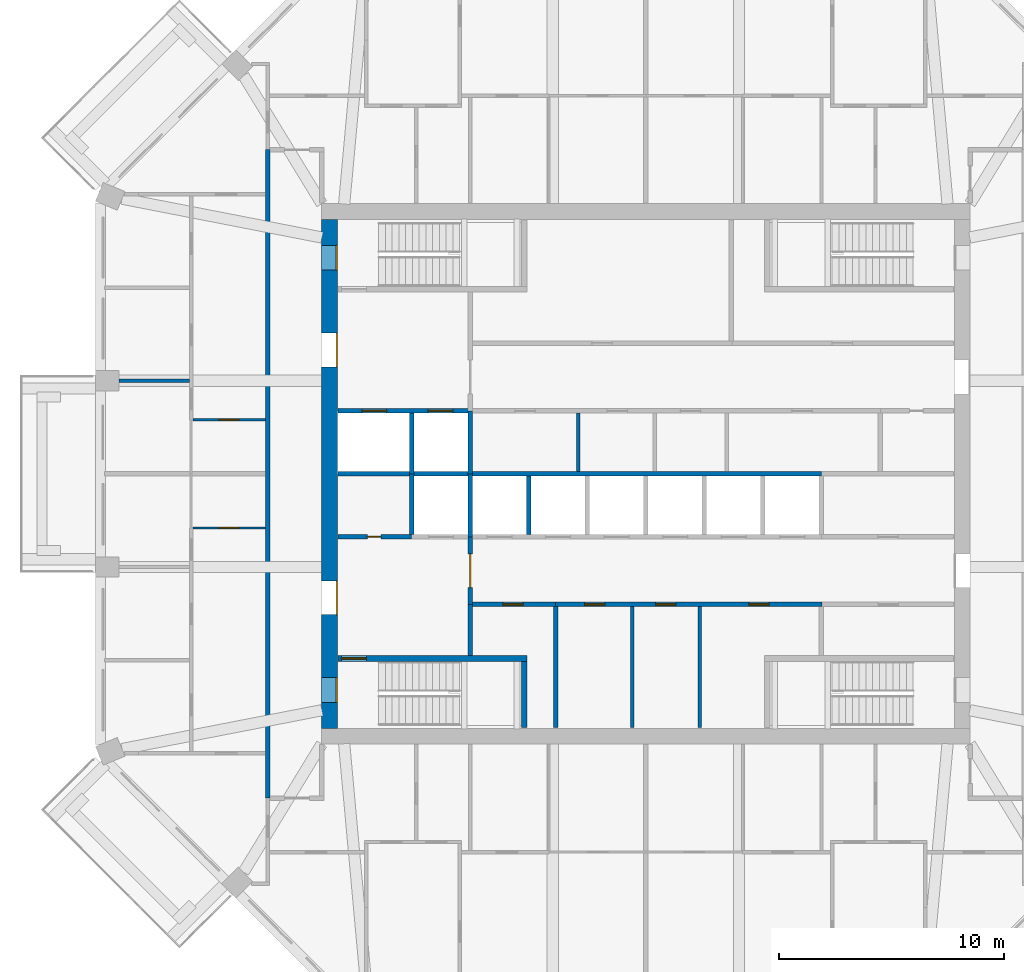
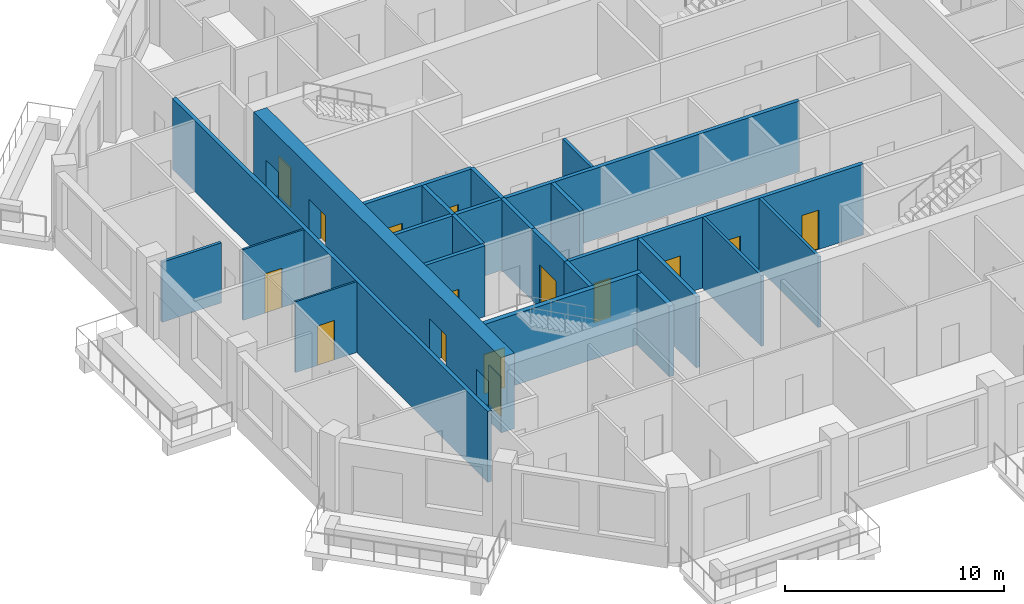
# One storey, part 4 of 12: 23 walls, 15 doors, 15 openings.
"""IFC4 building model written with IfcOpenShell, lengths in metres."""

import ifcopenshell
import ifcopenshell.guid

model = None  # the IFC model being written
_history = None  # IfcOwnerHistory: only IFC2X3 demands one
_inside = {}  # id of a spatial element -> (the spatial element, [elements in it])
_under = {}  # id of a project, library or spatial element -> (it, [spatial elements below it])
_declared = {}  # id of a project -> (the project, [libraries it declares])
_typed = {}  # id of a type object -> (the type object, [elements of that type])
_made_of = {}  # id of a material, layer set ... -> (it, [elements and type objects made of it])


def new_model(schema):
    """Start an empty IFC model of exactly this schema.

    Asked for "IFC4X3", IfcOpenShell would pick the latest addendum, in which some entities
    have other attributes; the version numbers below select the first issue.
    IFC2X3 requires an IfcOwnerHistory on every rooted entity: one is made here for all.
    """
    global model, _history
    if schema == "IFC4X3":
        model = ifcopenshell.file(schema_version=(4, 3, 0, 0))
    else:
        model = ifcopenshell.file(schema=schema)
    _inside.clear()
    _under.clear()
    _declared.clear()
    _typed.clear()
    _made_of.clear()
    _history = None
    if model.schema == "IFC2X3":
        org = make("IfcOrganization", Name="unknown")
        user = make(
            "IfcPersonAndOrganization",
            ThePerson=make("IfcPerson", FamilyName="unknown"),
            TheOrganization=org,
        )
        app = make(
            "IfcApplication",
            ApplicationDeveloper=org,
            Version="unknown",
            ApplicationFullName="unknown",
            ApplicationIdentifier="unknown",
        )
        _history = make(
            "IfcOwnerHistory",
            OwningUser=user,
            OwningApplication=app,
            ChangeAction="ADDED",
            CreationDate=0,
        )
    return model


def make(cls, **values):
    """One entity of the class cls with the attributes given. An attribute that is None is left unset."""
    return model.create_entity(
        cls, **{name: value for name, value in values.items() if value is not None}
    )


def rooted(cls, **values):
    """An entity with a GlobalId (a new one), such as an element, a storey or a relation."""
    return make(cls, GlobalId=ifcopenshell.guid.new(), OwnerHistory=_history, **values)


def si_unit(unit_type, name, prefix=None):
    """IfcSIUnit, for example si_unit("LENGTHUNIT", "METRE", prefix="MILLI")."""
    return make("IfcSIUnit", UnitType=unit_type, Prefix=prefix, Name=name)


def assignment(units):
    """IfcUnitAssignment: the units of a project."""
    return None if units is None else make("IfcUnitAssignment", Units=units)


def point(xyz):
    """IfcCartesianPoint."""
    return None if xyz is None else make("IfcCartesianPoint", Coordinates=xyz)


def direction(xyz):
    """IfcDirection."""
    return None if xyz is None else make("IfcDirection", DirectionRatios=xyz)


def frame(location, z_axis=None, x_axis=None):
    """IfcAxis2Placement3D, a coordinate frame: its origin and axes. An axis left out is left unset."""
    return make(
        "IfcAxis2Placement3D",
        Location=point(location),
        Axis=direction(z_axis),
        RefDirection=direction(x_axis),
    )


def frame_2d(location, x_axis=None):
    """IfcAxis2Placement2D, a coordinate frame in the plane: its origin and x axis."""
    return make(
        "IfcAxis2Placement2D", Location=point(location), RefDirection=direction(x_axis)
    )


def origin():
    """The frame at (0, 0, 0) with its axes left unset."""
    return frame((0.0, 0.0, 0.0))


def place(relative_to, where):
    """IfcLocalPlacement: puts the frame where relative to a parent placement (None: the world)."""
    return make(
        "IfcLocalPlacement", PlacementRelTo=relative_to, RelativePlacement=where
    )


def context(
    kind, dimensions, precision=None, world=None, true_north=None, identifier=None
):
    """IfcGeometricRepresentationContext, for example the 3D "Model" context."""
    return make(
        "IfcGeometricRepresentationContext",
        ContextIdentifier=identifier,
        ContextType=kind,
        CoordinateSpaceDimension=dimensions,
        Precision=precision,
        WorldCoordinateSystem=world,
        TrueNorth=true_north,
    )


def subcontext(parent, identifier, kind, view, scale=None):
    """IfcGeometricRepresentationSubContext, for example "Body" below "Model"."""
    return make(
        "IfcGeometricRepresentationSubContext",
        ContextIdentifier=identifier,
        ContextType=kind,
        ParentContext=parent,
        TargetScale=scale,
        TargetView=view,
    )


def project(units=None, contexts=None):
    """IfcProject with its units and contexts."""
    return rooted(
        "IfcProject",
        Name="project",
        RepresentationContexts=contexts,
        UnitsInContext=assignment(units),
    )


def spatial(cls, under=None, at=None, **own):
    """A site, building, storey or space (cls), placed at a placement, below another one or the project."""
    s = rooted(cls, ObjectPlacement=at, **own)
    if under is not None:
        _under.setdefault(under.id(), (under, []))[1].append(s)
    return s


def profile(cls, at=None, kind="AREA", **sizes):
    """A parametric profile (cls). Its sizes go by their IFC names, for example OverallWidth=200.0."""
    return make(cls, ProfileType=kind, Position=at, **sizes)


def rectangle(**sizes):
    """IfcRectangleProfileDef."""
    return profile("IfcRectangleProfileDef", **sizes)


def extrude(swept, where, along, depth):
    """IfcExtrudedAreaSolid: the profile swept, set in the frame where, extruded along a direction by depth."""
    return make(
        "IfcExtrudedAreaSolid",
        SweptArea=swept,
        Position=where,
        ExtrudedDirection=direction(along),
        Depth=depth,
    )


def shape(context_of_items, identifier, shape_type, items):
    """IfcShapeRepresentation: the items that make up one representation, for example the "Body"."""
    return make(
        "IfcShapeRepresentation",
        ContextOfItems=context_of_items,
        RepresentationIdentifier=identifier,
        RepresentationType=shape_type,
        Items=items,
    )


def material(Name=None, Category=None):
    """IfcMaterial."""
    return make("IfcMaterial", Name=Name, Category=Category)


def layer(
    of_material, thickness, ventilated=None, Name=None, Category=None, Priority=None
):
    """IfcMaterialLayer: one layer of a wall or slab, of a material (None: an air gap)."""
    return make(
        "IfcMaterialLayer",
        Material=of_material,
        LayerThickness=thickness,
        IsVentilated=ventilated,
        Name=Name,
        Category=Category,
        Priority=Priority,
    )


def layer_set(layers, Name=None):
    """IfcMaterialLayerSet."""
    return make("IfcMaterialLayerSet", MaterialLayers=layers, LayerSetName=Name)


def made_of(thing, what):
    """Note that an element or type object is made of a material, layer set ...; save() writes the relation."""
    if what is not None:
        _made_of.setdefault(what.id(), (what, []))[1].append(thing)
    return thing


def type_object(cls, material=None, **own):
    """A type object (cls), such as IfcWallType, which elements share."""
    return made_of(rooted(cls, **own), material)


def element(
    cls,
    number,
    at=None,
    inside=None,
    cuts=None,
    type_object=None,
    material=None,
    context=None,
    identifier="Body",
    shape_type=None,
    held_by="IfcProductDefinitionShape",
    body=None,
    shapes=None,
    **own,
):
    """One element of the class cls, such as IfcWall. Its Tag is "e" and its number.

    at: its placement. inside: the storey or other place that contains it. cuts: it is an
    opening in that element (IfcRelVoidsElement). A single representation is given by context,
    identifier, shape_type and body (its items); several are given by shapes. held_by: the class
    of the entity that holds the representations. save() writes the other relations.
    """
    e = rooted(cls, Tag="e%d" % number, ObjectPlacement=at, **own)
    if body is not None:
        shapes = [shape(context, identifier, shape_type, body)]
    if shapes is not None:
        e.Representation = make(held_by, Representations=shapes)
    if inside is not None:
        _inside.setdefault(inside.id(), (inside, []))[1].append(e)
    if cuts is not None:
        rooted(
            "IfcRelVoidsElement", RelatingBuildingElement=cuts, RelatedOpeningElement=e
        )
    if type_object is not None:
        _typed.setdefault(type_object.id(), (type_object, []))[1].append(e)
    return made_of(e, material)


def fill(opening, filler):
    """IfcRelFillsElement: the door or window that sits in an opening."""
    return rooted(
        "IfcRelFillsElement",
        RelatingOpeningElement=opening,
        RelatedBuildingElement=filler,
    )


def aggregate(whole, parts):
    """IfcRelAggregates: a whole, such as a stair, and the parts it consists of."""
    return rooted("IfcRelAggregates", RelatingObject=whole, RelatedObjects=parts)


def save(model, path):
    """Write the relations noted so far, then the file.

    IfcRelAggregates (storeys below a building ...), IfcRelContainedInSpatialStructure (elements
    in a storey), IfcRelDefinesByType, IfcRelAssociatesMaterial and IfcRelDeclares: one each for
    every whole, place, type object, material and project.
    """
    for whole, parts in _under.values():
        aggregate(whole, parts)
    for where, things in _inside.values():
        rooted(
            "IfcRelContainedInSpatialStructure",
            RelatedElements=things,
            RelatingStructure=where,
        )
    for kind, things in _typed.values():
        rooted("IfcRelDefinesByType", RelatedObjects=things, RelatingType=kind)
    for what, things in _made_of.values():
        rooted("IfcRelAssociatesMaterial", RelatedObjects=things, RelatingMaterial=what)
    for by, libraries in _declared.values():
        rooted("IfcRelDeclares", RelatingContext=by, RelatedDefinitions=libraries)
    model.write(path)


model = new_model("IFC4")

# Units and contexts
model_context = context("Model", 3, precision=1e-05, world=origin(), true_north=direction((0.0, 1.0)))
body_context = subcontext(model_context, "Body", "Model", "MODEL_VIEW")
ifc_project = project(units=[si_unit("LENGTHUNIT", "METRE"), si_unit("AREAUNIT", "SQUARE_METRE"), si_unit("VOLUMEUNIT", "CUBIC_METRE"), si_unit("PLANEANGLEUNIT", "RADIAN"), si_unit("MASSUNIT", "GRAM", prefix="KILO")], contexts=[model_context])

# Site, building, storey
site_placement = place(None, origin())
site = spatial("IfcSite", under=ifc_project, at=site_placement, CompositionType="ELEMENT")
building_placement = place(site_placement, origin())
building = spatial("IfcBuilding", under=site, at=building_placement, Name="Msitu Wima Residences", CompositionType="ELEMENT")
storey_placement = place(building_placement, frame((0.0, 0.0, 179.10009765625)))
storey = spatial("IfcBuildingStorey", under=building, at=storey_placement, Name="L41", CompositionType="ELEMENT", Elevation=179.10009765625)

# Wall, openings, doors
ifc_material_1 = material(Name="Concrete C60/75", Category="concrete")
ifc_layer_1 = layer(ifc_material_1, 0.699951171875)
ifc_layer_set_1 = layer_set([ifc_layer_1], Name="Concrete C60/75")
wall_type_1 = type_object("IfcWallType", Name="Core wall CW700 C60/75", PredefinedType="SHEAR", material=ifc_layer_set_1)
wall_1_placement = place(storey_placement, frame((-14.050048828125, -11.300048828125, 0.0), z_axis=(0.0, 0.0, 1.0), x_axis=(0.0, 1.0, 0.0)))
wall_1 = element("IfcWall", 1, at=wall_1_placement, inside=storey, type_object=wall_type_1, Name="Core wall", PredefinedType="SHEAR", context=body_context, shape_type="SweptSolid", body=[
    extrude(rectangle(XDim=22.60009765625, YDim=0.699951171875, at=frame_2d((11.300048828125, 0.0))), origin(), (0.0, 0.0, 1.0), 4.199951171875),
])
opening_1_placement = place(wall_1_placement, frame((20.35009765625, 0.0, 0.0)))
opening_1 = element("IfcOpeningElement", 2, at=opening_1_placement, cuts=wall_1, Name="Opening D40-42.087", PredefinedType="OPENING", context=body_context, shape_type="SweptSolid", body=[
    extrude(rectangle(XDim=1.10009765625, YDim=2.199951171875, at=frame_2d((0.550048828125, 1.10009765625))), frame((0.0, 0.35986328125, 0.0), z_axis=(0.0, -1.0, 0.0), x_axis=(1.0, 0.0, 0.0)), (0.0, 0.0, 1.0), 0.719970703125),
])
opening_2_placement = place(wall_1_placement, frame((1.14990234375, 0.0, 0.0)))
opening_2 = element("IfcOpeningElement", 3, at=opening_2_placement, cuts=wall_1, Name="Opening D40-42.089", PredefinedType="OPENING", context=body_context, shape_type="SweptSolid", body=[
    extrude(rectangle(XDim=1.10009765625, YDim=2.199951171875, at=frame_2d((0.550048828125, 1.10009765625))), frame((0.0, 0.35986328125, 0.0), z_axis=(0.0, -1.0, 0.0), x_axis=(1.0, 0.0, 0.0)), (0.0, 0.0, 1.0), 0.719970703125),
])
opening_3_placement = place(wall_1_placement, frame((16.050048828125, 0.0, 0.0)))
opening_3 = element("IfcOpeningElement", 4, at=opening_3_placement, cuts=wall_1, Name="Opening D40-42.068", PredefinedType="OPENING", context=body_context, shape_type="SweptSolid", body=[
    extrude(rectangle(XDim=1.5, YDim=2.39990234375, at=frame_2d((0.75, 1.199951171875))), frame((0.0, 0.35986328125, 0.0), z_axis=(0.0, -1.0, 0.0), x_axis=(1.0, 0.0, 0.0)), (0.0, 0.0, 1.0), 0.719970703125),
])
opening_4_placement = place(wall_1_placement, frame((5.050048828125, 0.0, 0.0)))
opening_4 = element("IfcOpeningElement", 5, at=opening_4_placement, cuts=wall_1, Name="Opening D40-42.070", PredefinedType="OPENING", context=body_context, shape_type="SweptSolid", body=[
    extrude(rectangle(XDim=1.5, YDim=2.39990234375, at=frame_2d((0.75, 1.199951171875))), frame((0.0, 0.35986328125, 0.0), z_axis=(0.0, -1.0, 0.0), x_axis=(1.0, 0.0, 0.0)), (0.0, 0.0, 1.0), 0.719970703125),
])
ifc_material_2 = material(Name="Steel framed glazed door, fire resisting", Category="steel")
door_type_1 = type_object("IfcDoorType", Name="Lobby door D07 1500x2400", OperationType="DOUBLE_DOOR_SINGLE_SWING", PredefinedType="DOOR", material=ifc_material_2)
door_1_placement = place(opening_3_placement, origin())
door_1 = element("IfcDoor", 6, at=door_1_placement, inside=storey, type_object=door_type_1, Name="Lobby door", OperationType="DOUBLE_DOOR_SINGLE_SWING", OverallHeight=2.39990234375, OverallWidth=1.5, PredefinedType="DOOR", context=body_context, shape_type="SweptSolid", body=[
    extrude(rectangle(XDim=1.5, YDim=2.39990234375, at=frame_2d((0.75, 1.199951171875))), frame((0.0, -0.294921875, 0.0), z_axis=(0.0, -1.0, 0.0), x_axis=(1.0, 0.0, 0.0)), (0.0, 0.0, 1.0), 0.050048828125),
])
fill(opening_3, door_1)
door_2_placement = place(opening_4_placement, origin())
door_2 = element("IfcDoor", 7, at=door_2_placement, inside=storey, type_object=door_type_1, Name="Lobby door", OperationType="DOUBLE_DOOR_SINGLE_SWING", OverallHeight=2.39990234375, OverallWidth=1.5, PredefinedType="DOOR", context=body_context, shape_type="SweptSolid", body=[
    extrude(rectangle(XDim=1.5, YDim=2.39990234375, at=frame_2d((0.75, 1.199951171875))), frame((0.0, -0.294921875, 0.0), z_axis=(0.0, -1.0, 0.0), x_axis=(1.0, 0.0, 0.0)), (0.0, 0.0, 1.0), 0.050048828125),
])
fill(opening_4, door_2)
ifc_material_3 = material(Name="Steel door, fire resisting, panic bar", Category="steel")
door_type_2 = type_object("IfcDoorType", Name="Stair door D06 1100x2200", OperationType="SINGLE_SWING_LEFT", PredefinedType="DOOR", material=ifc_material_3)
door_3_placement = place(opening_1_placement, origin())
door_3 = element("IfcDoor", 8, at=door_3_placement, inside=storey, type_object=door_type_2, Name="Stair door", OperationType="SINGLE_SWING_RIGHT", OverallHeight=2.199951171875, OverallWidth=1.10009765625, PredefinedType="DOOR", context=body_context, shape_type="SweptSolid", body=[
    extrude(rectangle(XDim=1.10009765625, YDim=2.199951171875, at=frame_2d((0.550048828125, 1.10009765625))), frame((0.0, -0.294921875, 0.0), z_axis=(0.0, -1.0, 0.0), x_axis=(1.0, 0.0, 0.0)), (0.0, 0.0, 1.0), 0.050048828125),
])
fill(opening_1, door_3)
door_4_placement = place(opening_2_placement, origin())
door_4 = element("IfcDoor", 9, at=door_4_placement, inside=storey, type_object=door_type_2, Name="Stair door", OperationType="SINGLE_SWING_LEFT", OverallHeight=2.199951171875, OverallWidth=1.10009765625, PredefinedType="DOOR", context=body_context, shape_type="SweptSolid", body=[
    extrude(rectangle(XDim=1.10009765625, YDim=2.199951171875, at=frame_2d((0.550048828125, 1.10009765625))), frame((0.0, -0.294921875, 0.0), z_axis=(0.0, -1.0, 0.0), x_axis=(1.0, 0.0, 0.0)), (0.0, 0.0, 1.0), 0.050048828125),
])
fill(opening_2, door_4)

# Wall
ifc_material_4 = material(Name="Plaster")
ifc_layer_2 = layer(ifc_material_4, 0.011962890625, Name="Plaster")
ifc_material_5 = material(Name="Concrete blockwork", Category="masonry")
ifc_layer_3 = layer(ifc_material_5, 0.176025390625, Name="Concrete blockwork")
ifc_layer_4 = layer(ifc_material_4, 0.011962890625, Name="Plaster")
ifc_layer_set_2 = layer_set([ifc_layer_2, ifc_layer_3, ifc_layer_4], Name="Concrete blockwork")
wall_type_2 = type_object("IfcWallType", Name="Corridor wall FW200", PredefinedType="PARTITIONING", material=ifc_layer_set_2)
wall_2_placement = place(storey_placement, frame((-16.800048828125, -14.39990234375, 0.0), z_axis=(0.0, 0.0, 1.0), x_axis=(0.0, 1.0, 0.0)))
element("IfcWall", 10, at=wall_2_placement, inside=storey, type_object=wall_type_2, Name="Corridor wall", PredefinedType="PARTITIONING", context=body_context, shape_type="SweptSolid", body=[
    extrude(rectangle(XDim=28.7998046875, YDim=0.199951171875, at=frame_2d((14.39990234375, 0.0))), origin(), (0.0, 0.0, 1.0), 3.949951171875),
])

# Wall, opening, door
wall_3_placement = place(storey_placement, frame((-7.800048828125, -5.800048828125, 0.0), z_axis=(0.0, 0.0, 1.0), x_axis=(0.0, 1.0, 0.0)))
wall_3 = element("IfcWall", 11, at=wall_3_placement, inside=storey, type_object=wall_type_2, Name="Corridor wall", PredefinedType="PARTITIONING", context=body_context, shape_type="SweptSolid", body=[
    extrude(rectangle(XDim=3.0, YDim=0.199951171875, at=frame_2d((1.5, 0.0))), origin(), (0.0, 0.0, 1.0), 3.949951171875),
])
opening_5_placement = place(wall_3_placement, frame((0.75, 0.0, 0.0)))
opening_5 = element("IfcOpeningElement", 12, at=opening_5_placement, cuts=wall_3, Name="Opening D40-42.071", PredefinedType="OPENING", context=body_context, shape_type="SweptSolid", body=[
    extrude(rectangle(XDim=1.5, YDim=2.39990234375, at=frame_2d((0.75, 1.199951171875))), frame((0.0, 0.10986328125, 0.0), z_axis=(0.0, -1.0, 0.0), x_axis=(1.0, 0.0, 0.0)), (0.0, 0.0, 1.0), 0.219970703125),
])
door_5_placement = place(opening_5_placement, origin())
door_5 = element("IfcDoor", 13, at=door_5_placement, inside=storey, type_object=door_type_1, Name="Lobby door", OperationType="DOUBLE_DOOR_SINGLE_SWING", OverallHeight=2.39990234375, OverallWidth=1.5, PredefinedType="DOOR", context=body_context, shape_type="SweptSolid", body=[
    extrude(rectangle(XDim=1.5, YDim=2.39990234375, at=frame_2d((0.75, 1.199951171875))), frame((0.0, 0.02490234375, 0.0), z_axis=(0.0, -1.0, 0.0), x_axis=(1.0, 0.0, 0.0)), (0.0, 0.0, 1.0), 0.050048828125),
])
fill(opening_5, door_5)

# Wall, openings, doors
wall_4_placement = place(storey_placement, frame((-4.02001953125, -5.800048828125, 0.0), z_axis=(0.0, 0.0, 1.0), x_axis=(1.0, 0.0, 0.0)))
wall_4 = element("IfcWall", 14, at=wall_4_placement, inside=storey, type_object=wall_type_2, Name="Corridor wall", PredefinedType="PARTITIONING", context=body_context, shape_type="SweptSolid", body=[
    extrude(rectangle(XDim=11.840087890625, YDim=0.199951171875, at=frame_2d((5.919921875, 0.0))), origin(), (0.0, 0.0, 1.0), 3.949951171875),
])
opening_6_placement = place(wall_4_placement, frame((1.300048828125, 0.0, 0.0)))
opening_6 = element("IfcOpeningElement", 15, at=opening_6_placement, cuts=wall_4, Name="Opening D40-42.075", PredefinedType="OPENING", context=body_context, shape_type="SweptSolid", body=[
    extrude(rectangle(XDim=0.89990234375, YDim=2.199951171875, at=frame_2d((0.449951171875, 1.10009765625))), frame((0.0, 0.10986328125, 0.0), z_axis=(0.0, -1.0, 0.0), x_axis=(1.0, 0.0, 0.0)), (0.0, 0.0, 1.0), 0.219970703125),
])
opening_7_placement = place(wall_4_placement, frame((4.449951171875, 0.0, 0.0)))
opening_7 = element("IfcOpeningElement", 16, at=opening_7_placement, cuts=wall_4, Name="Opening D40-42.076", PredefinedType="OPENING", context=body_context, shape_type="SweptSolid", body=[
    extrude(rectangle(XDim=0.89990234375, YDim=2.199951171875, at=frame_2d((0.449951171875, 1.10009765625))), frame((0.0, 0.10986328125, 0.0), z_axis=(0.0, -1.0, 0.0), x_axis=(1.0, 0.0, 0.0)), (0.0, 0.0, 1.0), 0.219970703125),
])
opening_8_placement = place(wall_4_placement, frame((8.60009765625, 0.0, 0.0)))
opening_8 = element("IfcOpeningElement", 17, at=opening_8_placement, cuts=wall_4, Name="Opening D40-42.077", PredefinedType="OPENING", context=body_context, shape_type="SweptSolid", body=[
    extrude(rectangle(XDim=0.89990234375, YDim=2.199951171875, at=frame_2d((0.449951171875, 1.10009765625))), frame((0.0, 0.10986328125, 0.0), z_axis=(0.0, -1.0, 0.0), x_axis=(1.0, 0.0, 0.0)), (0.0, 0.0, 1.0), 0.219970703125),
])
ifc_material_6 = material(Name="Timber flush door", Category="wood")
door_type_3 = type_object("IfcDoorType", Name="Service door D05 900x2200", OperationType="SINGLE_SWING_LEFT", PredefinedType="DOOR", material=ifc_material_6)
door_6_placement = place(opening_6_placement, origin())
door_6 = element("IfcDoor", 18, at=door_6_placement, inside=storey, type_object=door_type_3, Name="Service door", OperationType="SINGLE_SWING_LEFT", OverallHeight=2.199951171875, OverallWidth=0.89990234375, PredefinedType="DOOR", context=body_context, shape_type="SweptSolid", body=[
    extrude(rectangle(XDim=0.89990234375, YDim=2.199951171875, at=frame_2d((0.449951171875, 1.10009765625))), frame((0.0, 0.02490234375, 0.0), z_axis=(0.0, -1.0, 0.0), x_axis=(1.0, 0.0, 0.0)), (0.0, 0.0, 1.0), 0.050048828125),
])
fill(opening_6, door_6)
door_7_placement = place(opening_7_placement, origin())
door_7 = element("IfcDoor", 19, at=door_7_placement, inside=storey, type_object=door_type_3, Name="Service door", OperationType="SINGLE_SWING_RIGHT", OverallHeight=2.199951171875, OverallWidth=0.89990234375, PredefinedType="DOOR", context=body_context, shape_type="SweptSolid", body=[
    extrude(rectangle(XDim=0.89990234375, YDim=2.199951171875, at=frame_2d((0.449951171875, 1.10009765625))), frame((0.0, 0.02490234375, 0.0), z_axis=(0.0, -1.0, 0.0), x_axis=(1.0, 0.0, 0.0)), (0.0, 0.0, 1.0), 0.050048828125),
])
fill(opening_7, door_7)
door_8_placement = place(opening_8_placement, origin())
door_8 = element("IfcDoor", 20, at=door_8_placement, inside=storey, type_object=door_type_3, Name="Service door", OperationType="SINGLE_SWING_RIGHT", OverallHeight=2.199951171875, OverallWidth=0.89990234375, PredefinedType="DOOR", context=body_context, shape_type="SweptSolid", body=[
    extrude(rectangle(XDim=0.89990234375, YDim=2.199951171875, at=frame_2d((0.449951171875, 1.10009765625))), frame((0.0, 0.02490234375, 0.0), z_axis=(0.0, -1.0, 0.0), x_axis=(1.0, 0.0, 0.0)), (0.0, 0.0, 1.0), 0.050048828125),
])
fill(opening_8, door_8)

# Walls
ifc_layer_5 = layer(ifc_material_4, 0.011962890625, Name="Plaster")
ifc_layer_6 = layer(ifc_material_5, 0.1259765625, Name="Concrete blockwork")
ifc_layer_7 = layer(ifc_material_4, 0.011962890625, Name="Plaster")
ifc_layer_set_3 = layer_set([ifc_layer_5, ifc_layer_6, ifc_layer_7], Name="Concrete blockwork")
wall_type_3 = type_object("IfcWallType", Name="Partition PW150", PredefinedType="PARTITIONING", material=ifc_layer_set_3)
wall_5_placement = place(storey_placement, frame((-23.39990234375, 4.13720703125, 0.0), z_axis=(0.0, 0.0, 1.0), x_axis=(1.0, 0.0, 0.0)))
element("IfcWall", 21, at=wall_5_placement, inside=storey, type_object=wall_type_3, Name="Partition", PredefinedType="PARTITIONING", context=body_context, shape_type="SweptSolid", body=[
    extrude(rectangle(XDim=3.125, YDim=0.14990234375, at=frame_2d((1.5625, 0.0))), origin(), (0.0, 0.0, 1.0), 3.349853515625),
])
wall_6_placement = place(storey_placement, frame((-3.0, 0.10009765625, 0.0), z_axis=(0.0, 0.0, 1.0), x_axis=(0.0, 1.0, 0.0)))
element("IfcWall", 22, at=wall_6_placement, inside=storey, type_object=wall_type_3, Name="Partition", PredefinedType="PARTITIONING", context=body_context, shape_type="SweptSolid", body=[
    extrude(rectangle(XDim=2.599853515625, YDim=0.14990234375, at=frame_2d((1.2998046875, 0.0))), origin(), (0.0, 0.0, 1.0), 3.949951171875),
])
for number, where, z_axis, x_axis, name in (
    (23, (-0.60009765625, -11.27001953125, 0.0), (0.0, 0.0, 1.0), (0.0, 1.0, 0.0), "Partition"),
    (24, (2.39990234375, -11.27001953125, 0.0), (0.0, 0.0, 1.0), (0.0, 1.0, 0.0), "Partition"),
):
    element("IfcWall", number, at=place(storey_placement, frame(where, z_axis=z_axis, x_axis=x_axis)), inside=storey, type_object=wall_type_3, Name=name, PredefinedType="PARTITIONING", context=body_context, shape_type="SweptSolid", body=[
        extrude(rectangle(XDim=5.3701171875, YDim=0.14990234375, at=frame_2d((2.68505859375, 0.0))), origin(), (0.0, 0.0, 1.0), 3.949951171875),
    ])

# Wall, opening, door
ifc_layer_8 = layer(ifc_material_4, 0.011962890625, Name="Plaster")
ifc_material_7 = material(Name="Reinforced concrete blockwork", Category="masonry")
ifc_layer_9 = layer(ifc_material_7, 0.176025390625, Name="Reinforced concrete blockwork")
ifc_layer_10 = layer(ifc_material_4, 0.011962890625, Name="Plaster")
ifc_layer_set_4 = layer_set([ifc_layer_8, ifc_layer_9, ifc_layer_10], Name="Reinforced concrete blockwork")
wall_type_4 = type_object("IfcWallType", Name="Plant and riser wall PL200", PredefinedType="PARTITIONING", material=ifc_layer_set_4)
wall_7_placement = place(storey_placement, frame((-13.669921875, -2.800048828125, 0.0), z_axis=(0.0, 0.0, 1.0), x_axis=(1.0, 0.0, 0.0)))
wall_7 = element("IfcWall", 25, at=wall_7_placement, inside=storey, type_object=wall_type_4, Name="Plant and riser wall", PredefinedType="PARTITIONING", context=body_context, shape_type="SweptSolid", body=[
    extrude(rectangle(XDim=3.27001953125, YDim=0.199951171875, at=frame_2d((1.635009765625, 0.0))), origin(), (0.0, 0.0, 1.0), 3.949951171875),
])
opening_9_placement = place(wall_7_placement, frame((1.300048828125, 0.0, 0.0)))
opening_9 = element("IfcOpeningElement", 26, at=opening_9_placement, cuts=wall_7, Name="Opening D40-42.086", PredefinedType="OPENING", context=body_context, shape_type="SweptSolid", body=[
    extrude(rectangle(XDim=0.60009765625, YDim=2.0, at=frame_2d((0.300048828125, 1.0))), frame((0.0, 0.10986328125, 0.0), z_axis=(0.0, -1.0, 0.0), x_axis=(1.0, 0.0, 0.0)), (0.0, 0.0, 1.0), 0.219970703125),
])
ifc_material_8 = material(Name="Steel access door, fire resisting", Category="steel")
door_type_4 = type_object("IfcDoorType", Name="Riser access door D08 600x2000", OperationType="SINGLE_SWING_LEFT", PredefinedType="DOOR", material=ifc_material_8)
door_9_placement = place(opening_9_placement, origin())
door_9 = element("IfcDoor", 27, at=door_9_placement, inside=storey, type_object=door_type_4, Name="Riser access door", OperationType="SINGLE_SWING_RIGHT", OverallHeight=2.0, OverallWidth=0.60009765625, PredefinedType="DOOR", context=body_context, shape_type="SweptSolid", body=[
    extrude(rectangle(XDim=0.60009765625, YDim=2.0, at=frame_2d((0.300048828125, 1.0))), frame((0.0, 0.02490234375, 0.0), z_axis=(0.0, -1.0, 0.0), x_axis=(1.0, 0.0, 0.0)), (0.0, 0.0, 1.0), 0.050048828125),
])
fill(opening_9, door_9)

# Wall
wall_8_placement = place(storey_placement, frame((-7.800048828125, -8.074951171875, 0.0), z_axis=(0.0, 0.0, 1.0), x_axis=(0.0, 1.0, 0.0)))
element("IfcWall", 28, at=wall_8_placement, inside=storey, type_object=wall_type_4, Name="Plant and riser wall", PredefinedType="PARTITIONING", context=body_context, shape_type="SweptSolid", body=[
    extrude(rectangle(XDim=2.27490234375, YDim=0.199951171875, at=frame_2d((1.137451171875, 0.0))), origin(), (0.0, 0.0, 1.0), 3.949951171875),
])

# Wall, opening, door
wall_9_placement = place(storey_placement, frame((-7.699951171875, -5.800048828125, 0.0), z_axis=(0.0, 0.0, 1.0), x_axis=(1.0, 0.0, 0.0)))
wall_9 = element("IfcWall", 29, at=wall_9_placement, inside=storey, type_object=wall_type_4, Name="Plant and riser wall", PredefinedType="PARTITIONING", context=body_context, shape_type="SweptSolid", body=[
    extrude(rectangle(XDim=3.679931640625, YDim=0.199951171875, at=frame_2d((1.83984375, 0.0))), origin(), (0.0, 0.0, 1.0), 3.949951171875),
])
opening_10_placement = place(wall_9_placement, frame((1.35009765625, 0.0, 0.0)))
opening_10 = element("IfcOpeningElement", 30, at=opening_10_placement, cuts=wall_9, Name="Opening D40-42.074", PredefinedType="OPENING", context=body_context, shape_type="SweptSolid", body=[
    extrude(rectangle(XDim=0.89990234375, YDim=2.199951171875, at=frame_2d((0.449951171875, 1.10009765625))), frame((0.0, 0.10986328125, 0.0), z_axis=(0.0, -1.0, 0.0), x_axis=(1.0, 0.0, 0.0)), (0.0, 0.0, 1.0), 0.219970703125),
])
door_10_placement = place(opening_10_placement, origin())
door_10 = element("IfcDoor", 31, at=door_10_placement, inside=storey, type_object=door_type_3, Name="Service door", OperationType="SINGLE_SWING_RIGHT", OverallHeight=2.199951171875, OverallWidth=0.89990234375, PredefinedType="DOOR", context=body_context, shape_type="SweptSolid", body=[
    extrude(rectangle(XDim=0.89990234375, YDim=2.199951171875, at=frame_2d((0.449951171875, 1.10009765625))), frame((0.0, 0.02490234375, 0.0), z_axis=(0.0, -1.0, 0.0), x_axis=(1.0, 0.0, 0.0)), (0.0, 0.0, 1.0), 0.050048828125),
])
fill(opening_10, door_10)

# Walls
wall_10_placement = place(storey_placement, frame((-4.0, -11.27001953125, 0.0), z_axis=(0.0, 0.0, 1.0), x_axis=(0.0, 1.0, 0.0)))
element("IfcWall", 32, at=wall_10_placement, inside=storey, type_object=wall_type_4, Name="Plant and riser wall", PredefinedType="PARTITIONING", context=body_context, shape_type="SweptSolid", body=[
    extrude(rectangle(XDim=5.3701171875, YDim=0.199951171875, at=frame_2d((2.68505859375, 0.0))), origin(), (0.0, 0.0, 1.0), 3.949951171875),
])
ifc_material_9 = material(Name="Fire-rated board")
ifc_layer_11 = layer(ifc_material_9, 0.02490234375, Name="Fire-rated board")
ifc_material_10 = material(Name="Light-gauge stud framing with mineral wool")
ifc_layer_12 = layer(ifc_material_10, 0.14990234375, Name="Light-gauge stud framing with mineral wool")
ifc_layer_13 = layer(ifc_material_9, 0.02490234375, Name="Fire-rated board")
ifc_layer_set_5 = layer_set([ifc_layer_11, ifc_layer_12, ifc_layer_13], Name="Light-gauge stud framing with mineral wool")
wall_type_5 = type_object("IfcWallType", Name="Shaft wall SH200", PredefinedType="PARTITIONING", material=ifc_layer_set_5)
wall_11_placement = place(storey_placement, frame((-13.669921875, 0.0, 0.0), z_axis=(0.0, 0.0, 1.0), x_axis=(1.0, 0.0, 0.0)))
element("IfcWall", 33, at=wall_11_placement, inside=storey, type_object=wall_type_5, Name="Shaft wall", PredefinedType="PARTITIONING", context=body_context, shape_type="SweptSolid", body=[
    extrude(rectangle(XDim=21.469970703125, YDim=0.199951171875, at=frame_2d((10.73486328125, 0.0))), origin(), (0.0, 0.0, 1.0), 3.949951171875),
])

# Wall, openings, doors
wall_12_placement = place(storey_placement, frame((-13.669921875, 2.800048828125, 0.0), z_axis=(0.0, 0.0, 1.0), x_axis=(1.0, 0.0, 0.0)))
wall_12 = element("IfcWall", 34, at=wall_12_placement, inside=storey, type_object=wall_type_5, Name="Shaft wall", PredefinedType="PARTITIONING", context=body_context, shape_type="SweptSolid", body=[
    extrude(rectangle(XDim=5.849853515625, YDim=0.199951171875, at=frame_2d((2.9248046875, 0.0))), origin(), (0.0, 0.0, 1.0), 3.949951171875),
])
opening_11_placement = place(wall_12_placement, frame((1.050048828125, 0.0, 0.0)))
opening_11 = element("IfcOpeningElement", 35, at=opening_11_placement, cuts=wall_12, Name="Opening LD", PredefinedType="OPENING", context=body_context, shape_type="SweptSolid", body=[
    extrude(rectangle(XDim=1.10009765625, YDim=2.199951171875, at=frame_2d((0.550048828125, 1.10009765625))), frame((0.0, 0.10986328125, 0.0), z_axis=(0.0, -1.0, 0.0), x_axis=(1.0, 0.0, 0.0)), (0.0, 0.0, 1.0), 0.219970703125),
])
opening_12_placement = place(wall_12_placement, frame((4.0, 0.0, 0.0)))
opening_12 = element("IfcOpeningElement", 36, at=opening_12_placement, cuts=wall_12, Name="Opening LD", PredefinedType="OPENING", context=body_context, shape_type="SweptSolid", body=[
    extrude(rectangle(XDim=1.10009765625, YDim=2.199951171875, at=frame_2d((0.550048828125, 1.10009765625))), frame((0.0, 0.10986328125, 0.0), z_axis=(0.0, -1.0, 0.0), x_axis=(1.0, 0.0, 0.0)), (0.0, 0.0, 1.0), 0.219970703125),
])
ifc_material_11 = material(Name="Stainless steel centre-opening landing door, rated", Category="steel")
door_type_5 = type_object("IfcDoorType", Name="Lift landing door LD 1100x2200", OperationType="DOUBLE_DOOR_SLIDING", PredefinedType="DOOR", material=ifc_material_11)
door_11_placement = place(opening_11_placement, origin())
door_11 = element("IfcDoor", 37, at=door_11_placement, inside=storey, type_object=door_type_5, Name="Lift landing door LD1", OperationType="DOUBLE_DOOR_SLIDING", OverallHeight=2.199951171875, OverallWidth=1.10009765625, PredefinedType="DOOR", context=body_context, shape_type="SweptSolid", body=[
    extrude(rectangle(XDim=1.10009765625, YDim=2.199951171875, at=frame_2d((0.550048828125, 1.10009765625))), frame((0.0, 0.02490234375, 0.0), z_axis=(0.0, -1.0, 0.0), x_axis=(1.0, 0.0, 0.0)), (0.0, 0.0, 1.0), 0.050048828125),
])
fill(opening_11, door_11)
door_12_placement = place(opening_12_placement, origin())
door_12 = element("IfcDoor", 38, at=door_12_placement, inside=storey, type_object=door_type_5, Name="Lift landing door LD2", OperationType="DOUBLE_DOOR_SLIDING", OverallHeight=2.199951171875, OverallWidth=1.10009765625, PredefinedType="DOOR", context=body_context, shape_type="SweptSolid", body=[
    extrude(rectangle(XDim=1.10009765625, YDim=2.199951171875, at=frame_2d((0.550048828125, 1.10009765625))), frame((0.0, 0.02490234375, 0.0), z_axis=(0.0, -1.0, 0.0), x_axis=(1.0, 0.0, 0.0)), (0.0, 0.0, 1.0), 0.050048828125),
])
fill(opening_12, door_12)

# Walls
for number, where, z_axis, x_axis, name in (
    (39, (-10.39990234375, -2.699951171875, 0.0), (0.0, 0.0, 1.0), (0.0, 1.0, 0.0), "Shaft wall"),
    (40, (-10.39990234375, 0.0, 0.0), (0.0, 0.0, 1.0), (0.0, 1.0, 0.0), "Shaft wall"),
):
    element("IfcWall", number, at=place(storey_placement, frame(where, z_axis=z_axis, x_axis=x_axis)), inside=storey, type_object=wall_type_5, Name=name, PredefinedType="PARTITIONING", context=body_context, shape_type="SweptSolid", body=[
        extrude(rectangle(XDim=2.699951171875, YDim=0.199951171875, at=frame_2d((1.35009765625, 0.0))), origin(), (0.0, 0.0, 1.0), 3.949951171875),
    ])
for number, where, z_axis, x_axis, name in (
    (41, (-7.800048828125, -2.800048828125, 0.0), (0.0, 0.0, 1.0), (0.0, 1.0, 0.0), "Shaft wall"),
    (42, (-7.800048828125, 0.0, 0.0), (0.0, 0.0, 1.0), (0.0, 1.0, 0.0), "Shaft wall"),
):
    element("IfcWall", number, at=place(storey_placement, frame(where, z_axis=z_axis, x_axis=x_axis)), inside=storey, type_object=wall_type_5, Name=name, PredefinedType="PARTITIONING", context=body_context, shape_type="SweptSolid", body=[
        extrude(rectangle(XDim=2.800048828125, YDim=0.199951171875, at=frame_2d((1.39990234375, 0.0))), origin(), (0.0, 0.0, 1.0), 3.949951171875),
    ])
wall_13_placement = place(storey_placement, frame((-5.199951171875, -2.699951171875, 0.0), z_axis=(0.0, 0.0, 1.0), x_axis=(0.0, 1.0, 0.0)))
element("IfcWall", 43, at=wall_13_placement, inside=storey, type_object=wall_type_5, Name="Shaft wall", PredefinedType="PARTITIONING", context=body_context, shape_type="SweptSolid", body=[
    extrude(rectangle(XDim=2.599853515625, YDim=0.199951171875, at=frame_2d((1.2998046875, 0.0))), origin(), (0.0, 0.0, 1.0), 3.949951171875),
])

# Wall, opening, door
ifc_material_12 = material(Name="Concrete C50/60", Category="concrete")
ifc_layer_14 = layer(ifc_material_12, 0.25)
ifc_layer_set_6 = layer_set([ifc_layer_14], Name="Concrete C50/60")
wall_type_6 = type_object("IfcWallType", Name="Stair enclosure wall SW250", PredefinedType="SHEAR", material=ifc_layer_set_6)
wall_14_placement = place(storey_placement, frame((-13.669921875, -8.199951171875, 0.0), z_axis=(0.0, 0.0, 1.0), x_axis=(1.0, 0.0, 0.0)))
wall_14 = element("IfcWall", 44, at=wall_14_placement, inside=storey, type_object=wall_type_6, Name="Stair enclosure wall", PredefinedType="SHEAR", context=body_context, shape_type="SweptSolid", body=[
    extrude(rectangle(XDim=8.39501953125, YDim=0.25, at=frame_2d((4.197509765625, 0.0))), origin(), (0.0, 0.0, 1.0), 3.949951171875),
])
opening_13_placement = place(wall_14_placement, frame((0.14990234375, 0.0, 0.0)))
opening_13 = element("IfcOpeningElement", 45, at=opening_13_placement, cuts=wall_14, Name="Opening D40-42.090", PredefinedType="OPENING", context=body_context, shape_type="SweptSolid", body=[
    extrude(rectangle(XDim=1.10009765625, YDim=2.199951171875, at=frame_2d((0.550048828125, 1.10009765625))), frame((0.0, 0.135009765625, 0.0), z_axis=(0.0, -1.0, 0.0), x_axis=(1.0, 0.0, 0.0)), (0.0, 0.0, 1.0), 0.27001953125),
])
door_13_placement = place(opening_13_placement, origin())
door_13 = element("IfcDoor", 46, at=door_13_placement, inside=storey, type_object=door_type_2, Name="Stair door", OperationType="SINGLE_SWING_RIGHT", OverallHeight=2.199951171875, OverallWidth=1.10009765625, PredefinedType="DOOR", context=body_context, shape_type="SweptSolid", body=[
    extrude(rectangle(XDim=1.10009765625, YDim=2.199951171875, at=frame_2d((0.550048828125, 1.10009765625))), frame((0.0, 0.02490234375, 0.0), z_axis=(0.0, -1.0, 0.0), x_axis=(1.0, 0.0, 0.0)), (0.0, 0.0, 1.0), 0.050048828125),
])
fill(opening_13, door_13)

# Wall
wall_15_placement = place(storey_placement, frame((-5.39990234375, -11.27001953125, 0.0), z_axis=(0.0, 0.0, 1.0), x_axis=(0.0, 1.0, 0.0)))
element("IfcWall", 47, at=wall_15_placement, inside=storey, type_object=wall_type_6, Name="Stair enclosure wall", PredefinedType="SHEAR", context=body_context, shape_type="SweptSolid", body=[
    extrude(rectangle(XDim=2.945068359375, YDim=0.25, at=frame_2d((1.47265625, 0.0))), origin(), (0.0, 0.0, 1.0), 3.949951171875),
])

# Wall, opening, door
ifc_material_13 = material(Name="Ceramic tiles")
ifc_layer_15 = layer(ifc_material_13, 0.008056640625, Name="Ceramic tiles")
ifc_material_14 = material(Name="Moisture-resistant board")
ifc_layer_16 = layer(ifc_material_14, 0.012451171875, Name="Moisture-resistant board")
ifc_layer_17 = layer(ifc_material_10, 0.06689453125, Name="Light-gauge stud framing with mineral wool")
ifc_layer_18 = layer(ifc_material_14, 0.012451171875, Name="Moisture-resistant board")
ifc_layer_set_7 = layer_set([ifc_layer_15, ifc_layer_16, ifc_layer_17, ifc_layer_18], Name="Light-gauge stud framing with mineral wool")
wall_type_7 = type_object("IfcWallType", Name="Wet wall PW100", PredefinedType="PARTITIONING", material=ifc_layer_set_7)
wall_16_placement = place(storey_placement, frame((-20.125, -2.39990234375, 0.0), z_axis=(0.0, 0.0, 1.0), x_axis=(1.0, 0.0, 0.0)))
wall_16 = element("IfcWall", 48, at=wall_16_placement, inside=storey, type_object=wall_type_7, Name="Wet wall", PredefinedType="PARTITIONING", context=body_context, shape_type="SweptSolid", body=[
    extrude(rectangle(XDim=3.22509765625, YDim=0.10009765625, at=frame_2d((1.612548828125, 0.0))), origin(), (0.0, 0.0, 1.0), 3.949951171875),
])
opening_14_placement = place(wall_16_placement, frame((1.14990234375, 0.0, 0.0)))
opening_14 = element("IfcOpeningElement", 49, at=opening_14_placement, cuts=wall_16, Name="Opening D40-42.043", PredefinedType="OPENING", context=body_context, shape_type="SweptSolid", body=[
    extrude(rectangle(XDim=0.89990234375, YDim=2.199951171875, at=frame_2d((0.449951171875, 1.10009765625))), frame((0.0, 0.06005859375, 0.0), z_axis=(0.0, -1.0, 0.0), x_axis=(1.0, 0.0, 0.0)), (0.0, 0.0, 1.0), 0.1201171875),
])
ifc_material_15 = material(Name="Timber flush door, moisture resistant", Category="wood")
door_type_6 = type_object("IfcDoorType", Name="Bathroom door D03 900x2200", OperationType="SINGLE_SWING_LEFT", PredefinedType="DOOR", material=ifc_material_15)
door_14_placement = place(opening_14_placement, origin())
door_14 = element("IfcDoor", 50, at=door_14_placement, inside=storey, type_object=door_type_6, Name="Bathroom door", OperationType="SINGLE_SWING_LEFT", OverallHeight=2.199951171875, OverallWidth=0.89990234375, PredefinedType="DOOR", context=body_context, shape_type="SweptSolid", body=[
    extrude(rectangle(XDim=0.89990234375, YDim=2.199951171875, at=frame_2d((0.449951171875, 1.10009765625))), frame((0.0, 0.02490234375, 0.0), z_axis=(0.0, -1.0, 0.0), x_axis=(1.0, 0.0, 0.0)), (0.0, 0.0, 1.0), 0.050048828125),
])
fill(opening_14, door_14)

wall_17_placement = place(storey_placement, frame((-20.125, 2.39990234375, 0.0), z_axis=(0.0, 0.0, 1.0), x_axis=(1.0, 0.0, 0.0)))
wall_17 = element("IfcWall", 51, at=wall_17_placement, inside=storey, type_object=wall_type_7, Name="Wet wall", PredefinedType="PARTITIONING", context=body_context, shape_type="SweptSolid", body=[
    extrude(rectangle(XDim=3.22509765625, YDim=0.10009765625, at=frame_2d((1.612548828125, 0.0))), origin(), (0.0, 0.0, 1.0), 3.949951171875),
])
opening_15_placement = place(wall_17_placement, frame((1.14990234375, 0.0, 0.0)))
opening_15 = element("IfcOpeningElement", 52, at=opening_15_placement, cuts=wall_17, Name="Opening D40-42.029", PredefinedType="OPENING", context=body_context, shape_type="SweptSolid", body=[
    extrude(rectangle(XDim=0.89990234375, YDim=2.199951171875, at=frame_2d((0.449951171875, 1.10009765625))), frame((0.0, 0.06005859375, 0.0), z_axis=(0.0, -1.0, 0.0), x_axis=(1.0, 0.0, 0.0)), (0.0, 0.0, 1.0), 0.1201171875),
])
door_15_placement = place(opening_15_placement, origin())
door_15 = element("IfcDoor", 53, at=door_15_placement, inside=storey, type_object=door_type_6, Name="Bathroom door", OperationType="SINGLE_SWING_RIGHT", OverallHeight=2.199951171875, OverallWidth=0.89990234375, PredefinedType="DOOR", context=body_context, shape_type="SweptSolid", body=[
    extrude(rectangle(XDim=0.89990234375, YDim=2.199951171875, at=frame_2d((0.449951171875, 1.10009765625))), frame((0.0, 0.02490234375, 0.0), z_axis=(0.0, -1.0, 0.0), x_axis=(1.0, 0.0, 0.0)), (0.0, 0.0, 1.0), 0.050048828125),
])
fill(opening_15, door_15)

save(model, "model.ifc")
